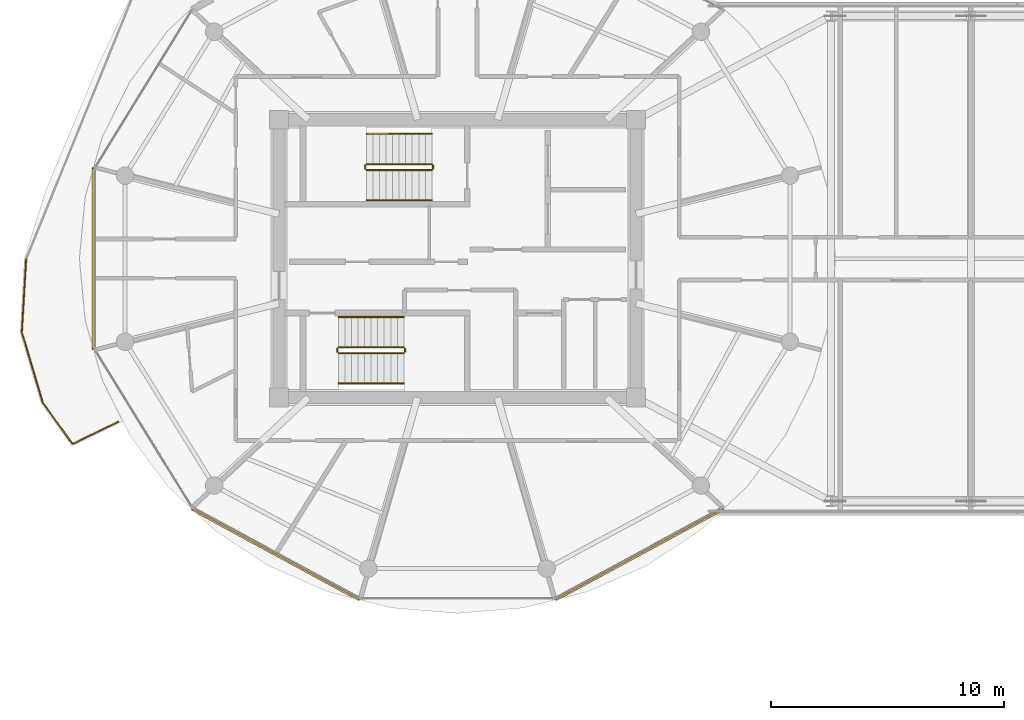
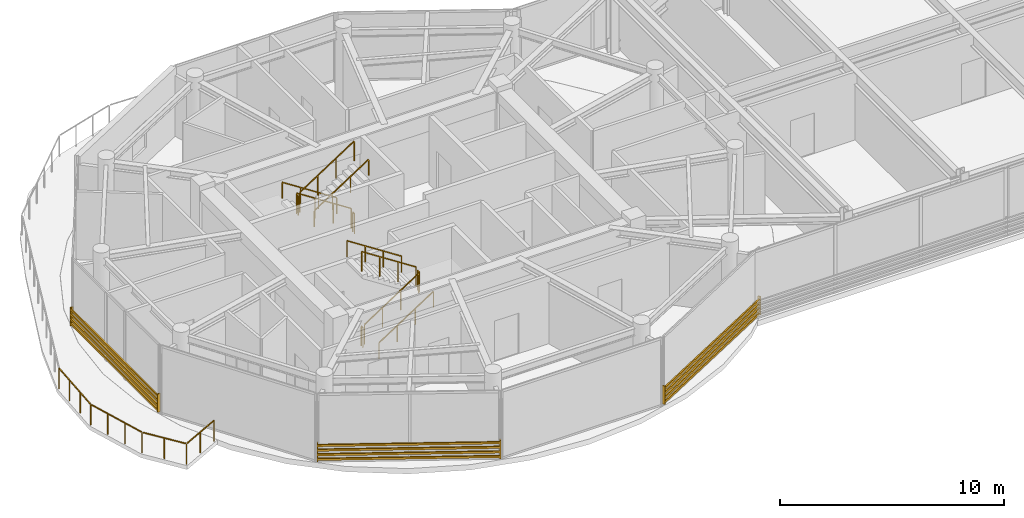
# One storey, part 21 of 24: 13 railings, 3 shading devices.
"""IFC4 building model written with IfcOpenShell, lengths in metres."""

from ifc_helpers import new_model, si_unit, direction, frame, origin, origin_2d, place, context, subcontext, project, spatial, rectangle, extrude, source, transform, mapped, material, type_object, type_shapes, element, save


model = new_model("IFC4")

# Units and contexts
model_context = context("Model", 3, precision=1e-05, world=origin(), true_north=direction((0.0, 1.0)))
body_context = subcontext(model_context, "Body", "Model", "MODEL_VIEW")
ifc_project = project(units=[si_unit("LENGTHUNIT", "METRE"), si_unit("AREAUNIT", "SQUARE_METRE"), si_unit("VOLUMEUNIT", "CUBIC_METRE"), si_unit("PLANEANGLEUNIT", "RADIAN"), si_unit("MASSUNIT", "GRAM", prefix="KILO")], contexts=[model_context])

# Site, building, storey
site_placement = place(None, origin())
site = spatial("IfcSite", under=ifc_project, at=site_placement, CompositionType="ELEMENT")
building_placement = place(site_placement, origin())
building = spatial("IfcBuilding", under=site, at=building_placement, Name="Norrkilde Senior Care Towers", CompositionType="ELEMENT")
storey_placement = place(building_placement, frame((0.0, 0.0, 203.800048828125)))
storey = spatial("IfcBuildingStorey", under=building, at=storey_placement, Name="L63", CompositionType="ELEMENT", Elevation=203.800048828125)

# Railings
ifc_material_1 = material(Name="Anodised Aluminium", Category="aluminium")
railing_type_1 = type_object("IfcRailingType", Name="Balcony Swirl Ribbon Guardrail 1150", PredefinedType="GUARDRAIL", material=ifc_material_1)
railing_1_placement = place(storey_placement, frame((-42.53662109375, -6.984130859375, 0.0)))
element("IfcRailing", 1, at=railing_1_placement, inside=storey, type_object=railing_type_1, Name="L63 Perimeter Safety Guard 04", PredefinedType="GUARDRAIL", context=body_context, shape_type="SweptSolid", body=[
    extrude(rectangle(XDim=0.048095703125, YDim=0.048095703125, at=origin_2d()), frame((0.0, 0.0, 1.1259765625), z_axis=(-0.899208913811, -0.437519518791, 0.0), x_axis=(0.437519518791, -0.899208913811, 0.0)), (0.0, 0.0, 1.0), 2.140869140625),
    extrude(rectangle(XDim=0.048095703125, YDim=0.048095703125, at=origin_2d()), frame((-1.98583984375, -0.92138671875, 1.1259765625), z_axis=(-0.585433060013, 0.810720748621, 0.0), x_axis=(-0.810720748621, -0.585433060013, 0.0)), (0.0, 0.0, 1.0), 2.0888671875),
    extrude(rectangle(XDim=0.048095703125, YDim=0.048095703125, at=origin_2d()), frame((-3.244384765625, 0.844482421875, 1.1259765625), z_axis=(-0.284897233865, 0.958558066127, 0.0), x_axis=(-0.958558066127, -0.284897233865, 0.0)), (0.0, 0.0, 1.0), 3.07275390625),
    extrude(rectangle(XDim=0.048095703125, YDim=0.048095703125, at=origin_2d()), frame((-4.12890625, 3.86962890625, 1.1259765625), z_axis=(0.058121556594, 0.998309513457, 0.0), x_axis=(-0.998309513457, 0.058121556594, 0.0)), (0.0, 0.0, 1.0), 3.105224609375),
    extrude(rectangle(XDim=0.0419921875, YDim=0.0419921875, at=origin_2d()), origin(), (0.0, 0.0, 1.0), 1.099853515625),
    extrude(rectangle(XDim=0.0419921875, YDim=0.0419921875, at=origin_2d()), frame((-0.98095703125, -0.477294921875, 0.0)), (0.0, 0.0, 1.0), 1.099853515625),
    extrude(rectangle(XDim=0.0419921875, YDim=0.0419921875, at=origin_2d()), frame((-1.9619140625, -0.95458984375, 0.0)), (0.0, 0.0, 1.0), 1.099853515625),
    extrude(rectangle(XDim=0.0419921875, YDim=0.0419921875, at=origin_2d()), frame((-2.59716796875, -0.07470703125, 0.0)), (0.0, 0.0, 1.0), 1.099853515625),
    extrude(rectangle(XDim=0.0419921875, YDim=0.0419921875, at=origin_2d()), frame((-3.232666015625, 0.80517578125, 0.0)), (0.0, 0.0, 1.0), 1.099853515625),
    extrude(rectangle(XDim=0.0419921875, YDim=0.0419921875, at=origin_2d()), frame((-3.5322265625, 1.81298828125, 0.0)), (0.0, 0.0, 1.0), 1.099853515625),
    extrude(rectangle(XDim=0.0419921875, YDim=0.0419921875, at=origin_2d()), frame((-3.831787109375, 2.821044921875, 0.0)), (0.0, 0.0, 1.0), 1.099853515625),
    extrude(rectangle(XDim=0.0419921875, YDim=0.0419921875, at=origin_2d()), frame((-4.13134765625, 3.828857421875, 0.0)), (0.0, 0.0, 1.0), 1.099853515625),
    extrude(rectangle(XDim=0.0419921875, YDim=0.0419921875, at=origin_2d()), frame((-4.0703125, 4.875732421875, 0.0)), (0.0, 0.0, 1.0), 1.099853515625),
    extrude(rectangle(XDim=0.0419921875, YDim=0.0419921875, at=origin_2d()), frame((-4.009521484375, 5.9228515625, 0.0)), (0.0, 0.0, 1.0), 1.099853515625),
    extrude(rectangle(XDim=0.0419921875, YDim=0.0419921875, at=origin_2d()), frame((-3.948486328125, 6.9697265625, 0.0)), (0.0, 0.0, 1.0), 1.099853515625),
])
ifc_material_2 = material(Name="Stainless Steel", Category="steel")
railing_type_2 = type_object("IfcRailingType", Name="Stair and Terrace Guardrail 1100", PredefinedType="GUARDRAIL", material=ifc_material_2)
railing_2_placement = place(storey_placement, frame((-29.10009765625, 4.050048828125, 0.181884765625)))
element("IfcRailing", 2, at=railing_2_placement, inside=storey, type_object=railing_type_2, Name="L63 ST-W1 stair guard 1", PredefinedType="GUARDRAIL", context=body_context, shape_type="SweptSolid", body=[
    extrude(rectangle(XDim=0.048095703125, YDim=0.048095703125, at=origin_2d()), frame((0.0, 0.0, 1.076171875), z_axis=(-0.83868413941, 0.0, 0.544618136222), x_axis=(0.0, -1.0, 0.0)), (0.0, 0.0, 1.0), 3.33837890625),
    extrude(rectangle(XDim=0.0419921875, YDim=0.0419921875, at=origin_2d()), origin(), (0.0, 0.0, 1.0), 1.050048828125),
    extrude(rectangle(XDim=0.0419921875, YDim=0.0419921875, at=origin_2d()), frame((-0.933349609375, 0.0, 0.60595703125)), (0.0, 0.0, 1.0), 1.050048828125),
    extrude(rectangle(XDim=0.0419921875, YDim=0.0419921875, at=origin_2d()), frame((-1.866455078125, 0.0, 1.212158203125)), (0.0, 0.0, 1.0), 1.050048828125),
    extrude(rectangle(XDim=0.0419921875, YDim=0.0419921875, at=origin_2d()), frame((-2.7998046875, 0.0, 1.818115234375)), (0.0, 0.0, 1.0), 1.050048828125),
])
railing_3_placement = place(storey_placement, frame((-31.949951171875, 4.0, 2.0)))
element("IfcRailing", 3, at=railing_3_placement, inside=storey, type_object=railing_type_2, Name="L63 ST-W1 stair guard 2", PredefinedType="GUARDRAIL", context=body_context, shape_type="SweptSolid", body=[
    extrude(rectangle(XDim=0.048095703125, YDim=0.048095703125, at=origin_2d()), frame((0.0, 0.0, 1.076171875), z_axis=(0.0, -1.0, 0.0), x_axis=(1.0, 0.0, 0.0)), (0.0, 0.0, 1.0), 0.14990234375),
    extrude(rectangle(XDim=0.0419921875, YDim=0.0419921875, at=origin_2d()), origin(), (0.0, 0.0, 1.0), 1.050048828125),
    extrude(rectangle(XDim=0.0419921875, YDim=0.0419921875, at=origin_2d()), frame((0.0, -0.14990234375, 0.0)), (0.0, 0.0, 1.0), 1.050048828125),
])
railing_4_placement = place(storey_placement, frame((-31.89990234375, 3.800048828125, 2.181884765625)))
element("IfcRailing", 4, at=railing_4_placement, inside=storey, type_object=railing_type_2, Name="L63 ST-W1 stair guard 3", PredefinedType="GUARDRAIL", context=body_context, shape_type="SweptSolid", body=[
    extrude(rectangle(XDim=0.048095703125, YDim=0.048095703125, at=origin_2d()), frame((0.0, 0.0, 1.076171875), z_axis=(0.83868413941, 0.0, 0.544618136222), x_axis=(0.0, 1.0, 0.0)), (0.0, 0.0, 1.0), 3.33837890625),
    extrude(rectangle(XDim=0.0419921875, YDim=0.0419921875, at=origin_2d()), origin(), (0.0, 0.0, 1.0), 1.050048828125),
    extrude(rectangle(XDim=0.0419921875, YDim=0.0419921875, at=origin_2d()), frame((0.933349609375, 0.0, 0.60595703125)), (0.0, 0.0, 1.0), 1.050048828125),
    extrude(rectangle(XDim=0.0419921875, YDim=0.0419921875, at=origin_2d()), frame((1.866455078125, 0.0, 1.212158203125)), (0.0, 0.0, 1.0), 1.050048828125),
    extrude(rectangle(XDim=0.0419921875, YDim=0.0419921875, at=origin_2d()), frame((2.7998046875, 0.0, 1.818115234375)), (0.0, 0.0, 1.0), 1.050048828125),
])
railing_5_placement = place(storey_placement, frame((-29.050048828125, 4.0, 0.0)))
element("IfcRailing", 5, at=railing_5_placement, inside=storey, type_object=railing_type_2, Name="L63 ST-W1 stair guard 4", PredefinedType="GUARDRAIL", context=body_context, shape_type="SweptSolid", body=[
    extrude(rectangle(XDim=0.048095703125, YDim=0.048095703125, at=origin_2d()), frame((0.0, 0.0, 1.076171875), z_axis=(0.0, -1.0, 0.0), x_axis=(1.0, 0.0, 0.0)), (0.0, 0.0, 1.0), 0.14990234375),
    extrude(rectangle(XDim=0.0419921875, YDim=0.0419921875, at=origin_2d()), origin(), (0.0, 0.0, 1.0), 1.050048828125),
    extrude(rectangle(XDim=0.0419921875, YDim=0.0419921875, at=origin_2d()), frame((0.0, -0.14990234375, 0.0)), (0.0, 0.0, 1.0), 1.050048828125),
])
railing_6_placement = place(storey_placement, frame((-33.10009765625, -4.050048828125, 0.181884765625)))
element("IfcRailing", 6, at=railing_6_placement, inside=storey, type_object=railing_type_2, Name="L63 ST-W2 stair guard 1", PredefinedType="GUARDRAIL", context=body_context, shape_type="SweptSolid", body=[
    extrude(rectangle(XDim=0.048095703125, YDim=0.048095703125, at=origin_2d()), frame((0.0, 0.0, 1.076171875), z_axis=(0.838705829183, 0.0, 0.544584733623), x_axis=(0.0, 1.0, 0.0)), (0.0, 0.0, 1.0), 3.338623046875),
    extrude(rectangle(XDim=0.0419921875, YDim=0.0419921875, at=origin_2d()), origin(), (0.0, 0.0, 1.0), 1.050048828125),
    extrude(rectangle(XDim=0.0419921875, YDim=0.0419921875, at=origin_2d()), frame((0.933349609375, 0.0, 0.60595703125)), (0.0, 0.0, 1.0), 1.050048828125),
    extrude(rectangle(XDim=0.0419921875, YDim=0.0419921875, at=origin_2d()), frame((1.86669921875, 0.0, 1.212158203125)), (0.0, 0.0, 1.0), 1.050048828125),
    extrude(rectangle(XDim=0.0419921875, YDim=0.0419921875, at=origin_2d()), frame((2.800048828125, 0.0, 1.818115234375)), (0.0, 0.0, 1.0), 1.050048828125),
])
railing_7_placement = place(storey_placement, frame((-30.25, -4.0, 2.0)))
element("IfcRailing", 7, at=railing_7_placement, inside=storey, type_object=railing_type_2, Name="L63 ST-W2 stair guard 2", PredefinedType="GUARDRAIL", context=body_context, shape_type="SweptSolid", body=[
    extrude(rectangle(XDim=0.048095703125, YDim=0.048095703125, at=origin_2d()), frame((0.0, 0.0, 1.076171875), z_axis=(0.0, 1.0, 0.0), x_axis=(-1.0, 0.0, 0.0)), (0.0, 0.0, 1.0), 0.14990234375),
    extrude(rectangle(XDim=0.0419921875, YDim=0.0419921875, at=origin_2d()), origin(), (0.0, 0.0, 1.0), 1.050048828125),
    extrude(rectangle(XDim=0.0419921875, YDim=0.0419921875, at=origin_2d()), frame((0.0, 0.14990234375, 0.0)), (0.0, 0.0, 1.0), 1.050048828125),
])
railing_8_placement = place(storey_placement, frame((-30.300048828125, -3.800048828125, 2.181884765625)))
element("IfcRailing", 8, at=railing_8_placement, inside=storey, type_object=railing_type_2, Name="L63 ST-W2 stair guard 3", PredefinedType="GUARDRAIL", context=body_context, shape_type="SweptSolid", body=[
    extrude(rectangle(XDim=0.048095703125, YDim=0.048095703125, at=origin_2d()), frame((0.0, 0.0, 1.076171875), z_axis=(-0.838705829183, 0.0, 0.544584733623), x_axis=(0.0, -1.0, 0.0)), (0.0, 0.0, 1.0), 3.338623046875),
    extrude(rectangle(XDim=0.0419921875, YDim=0.0419921875, at=origin_2d()), origin(), (0.0, 0.0, 1.0), 1.050048828125),
    extrude(rectangle(XDim=0.0419921875, YDim=0.0419921875, at=origin_2d()), frame((-0.933349609375, 0.0, 0.60595703125)), (0.0, 0.0, 1.0), 1.050048828125),
    extrude(rectangle(XDim=0.0419921875, YDim=0.0419921875, at=origin_2d()), frame((-1.86669921875, 0.0, 1.212158203125)), (0.0, 0.0, 1.0), 1.050048828125),
    extrude(rectangle(XDim=0.0419921875, YDim=0.0419921875, at=origin_2d()), frame((-2.800048828125, 0.0, 1.818115234375)), (0.0, 0.0, 1.0), 1.050048828125),
])
railing_9_placement = place(storey_placement, frame((-33.14990234375, -4.0, 0.0)))
element("IfcRailing", 9, at=railing_9_placement, inside=storey, type_object=railing_type_2, Name="L63 ST-W2 stair guard 4", PredefinedType="GUARDRAIL", context=body_context, shape_type="SweptSolid", body=[
    extrude(rectangle(XDim=0.048095703125, YDim=0.048095703125, at=origin_2d()), frame((0.0, 0.0, 1.076171875), z_axis=(0.0, 1.0, 0.0), x_axis=(-1.0, 0.0, 0.0)), (0.0, 0.0, 1.0), 0.14990234375),
    extrude(rectangle(XDim=0.0419921875, YDim=0.0419921875, at=origin_2d()), origin(), (0.0, 0.0, 1.0), 1.050048828125),
    extrude(rectangle(XDim=0.0419921875, YDim=0.0419921875, at=origin_2d()), frame((0.0, 0.14990234375, 0.0)), (0.0, 0.0, 1.0), 1.050048828125),
])
ifc_material_3 = material(Name="Nordic Ash Timber", Category="wood")
railing_type_3 = type_object("IfcRailingType", Name="Wall and Stair Handrail 900", PredefinedType="HANDRAIL", material=ifc_material_3)
railing_10_placement = place(storey_placement, frame((-29.10009765625, 5.35009765625, 0.181884765625)))
element("IfcRailing", 10, at=railing_10_placement, inside=storey, type_object=railing_type_3, Name="L63 ST-W1 stair handrail 1", PredefinedType="HANDRAIL", context=body_context, shape_type="SweptSolid", body=[
    extrude(rectangle(XDim=0.048095703125, YDim=0.048095703125, at=origin_2d()), frame((0.0, 0.0, 0.8759765625), z_axis=(-0.83868413941, 0.0, 0.544618136222), x_axis=(0.0, -1.0, 0.0)), (0.0, 0.0, 1.0), 3.33837890625),
    extrude(rectangle(XDim=0.0419921875, YDim=0.0419921875, at=origin_2d()), origin(), (0.0, 0.0, 1.0), 0.849853515625),
    extrude(rectangle(XDim=0.0419921875, YDim=0.0419921875, at=origin_2d()), frame((-0.933349609375, 0.0, 0.60595703125)), (0.0, 0.0, 1.0), 0.849853515625),
    extrude(rectangle(XDim=0.0419921875, YDim=0.0419921875, at=origin_2d()), frame((-1.866455078125, 0.0, 1.212158203125)), (0.0, 0.0, 1.0), 0.849853515625),
    extrude(rectangle(XDim=0.0419921875, YDim=0.0419921875, at=origin_2d()), frame((-2.7998046875, 0.0, 1.818115234375)), (0.0, 0.0, 1.0), 0.849853515625),
])
railing_11_placement = place(storey_placement, frame((-31.89990234375, 2.5, 2.181884765625)))
element("IfcRailing", 11, at=railing_11_placement, inside=storey, type_object=railing_type_3, Name="L63 ST-W1 stair handrail 2", PredefinedType="HANDRAIL", context=body_context, shape_type="SweptSolid", body=[
    extrude(rectangle(XDim=0.048095703125, YDim=0.048095703125, at=origin_2d()), frame((0.0, 0.0, 0.8759765625), z_axis=(0.83868413941, 0.0, 0.544618136222), x_axis=(0.0, 1.0, 0.0)), (0.0, 0.0, 1.0), 3.33837890625),
    extrude(rectangle(XDim=0.0419921875, YDim=0.0419921875, at=origin_2d()), origin(), (0.0, 0.0, 1.0), 0.849853515625),
    extrude(rectangle(XDim=0.0419921875, YDim=0.0419921875, at=origin_2d()), frame((0.933349609375, 0.0, 0.60595703125)), (0.0, 0.0, 1.0), 0.849853515625),
    extrude(rectangle(XDim=0.0419921875, YDim=0.0419921875, at=origin_2d()), frame((1.866455078125, 0.0, 1.212158203125)), (0.0, 0.0, 1.0), 0.849853515625),
    extrude(rectangle(XDim=0.0419921875, YDim=0.0419921875, at=origin_2d()), frame((2.7998046875, 0.0, 1.818115234375)), (0.0, 0.0, 1.0), 0.849853515625),
])
railing_12_placement = place(storey_placement, frame((-33.10009765625, -5.35009765625, 0.181884765625)))
element("IfcRailing", 12, at=railing_12_placement, inside=storey, type_object=railing_type_3, Name="L63 ST-W2 stair handrail 1", PredefinedType="HANDRAIL", context=body_context, shape_type="SweptSolid", body=[
    extrude(rectangle(XDim=0.048095703125, YDim=0.048095703125, at=origin_2d()), frame((0.0, 0.0, 0.8759765625), z_axis=(0.838705829183, 0.0, 0.544584733623), x_axis=(0.0, 1.0, 0.0)), (0.0, 0.0, 1.0), 3.338623046875),
    extrude(rectangle(XDim=0.0419921875, YDim=0.0419921875, at=origin_2d()), origin(), (0.0, 0.0, 1.0), 0.849853515625),
    extrude(rectangle(XDim=0.0419921875, YDim=0.0419921875, at=origin_2d()), frame((0.933349609375, 0.0, 0.60595703125)), (0.0, 0.0, 1.0), 0.849853515625),
    extrude(rectangle(XDim=0.0419921875, YDim=0.0419921875, at=origin_2d()), frame((1.86669921875, 0.0, 1.212158203125)), (0.0, 0.0, 1.0), 0.849853515625),
    extrude(rectangle(XDim=0.0419921875, YDim=0.0419921875, at=origin_2d()), frame((2.800048828125, 0.0, 1.818115234375)), (0.0, 0.0, 1.0), 0.849853515625),
])
railing_13_placement = place(storey_placement, frame((-30.300048828125, -2.5, 2.181884765625)))
element("IfcRailing", 13, at=railing_13_placement, inside=storey, type_object=railing_type_3, Name="L63 ST-W2 stair handrail 2", PredefinedType="HANDRAIL", context=body_context, shape_type="SweptSolid", body=[
    extrude(rectangle(XDim=0.048095703125, YDim=0.048095703125, at=origin_2d()), frame((0.0, 0.0, 0.8759765625), z_axis=(-0.838705829183, 0.0, 0.544584733623), x_axis=(0.0, -1.0, 0.0)), (0.0, 0.0, 1.0), 3.338623046875),
    extrude(rectangle(XDim=0.0419921875, YDim=0.0419921875, at=origin_2d()), origin(), (0.0, 0.0, 1.0), 0.849853515625),
    extrude(rectangle(XDim=0.0419921875, YDim=0.0419921875, at=origin_2d()), frame((-0.933349609375, 0.0, 0.60595703125)), (0.0, 0.0, 1.0), 0.849853515625),
    extrude(rectangle(XDim=0.0419921875, YDim=0.0419921875, at=origin_2d()), frame((-1.86669921875, 0.0, 1.212158203125)), (0.0, 0.0, 1.0), 0.849853515625),
    extrude(rectangle(XDim=0.0419921875, YDim=0.0419921875, at=origin_2d()), frame((-2.800048828125, 0.0, 1.818115234375)), (0.0, 0.0, 1.0), 0.849853515625),
])

# Shading devices
ifc_material_4 = material(Name="Architectural Terracotta", Category="masonry")
shading_device_type = type_object("IfcShadingDeviceType", Name="Horizontal Terracotta Baguette Rack", PredefinedType="USERDEFINED", material=ifc_material_4)
shared_shape_1 = source(origin(), body_context, "Body", "SweptSolid", [
    extrude(rectangle(XDim=0.070068359375, YDim=0.110107421875, at=origin_2d()), frame((0.0, 0.090087890625, 0.125), z_axis=(1.0, 0.0, 0.0), x_axis=(0.0, 1.0, 0.0)), (0.0, 0.0, 1.0), 8.197265625),
    extrude(rectangle(XDim=0.070068359375, YDim=0.110107421875, at=origin_2d()), frame((0.0, 0.090087890625, 0.375), z_axis=(1.0, 0.0, 0.0), x_axis=(0.0, 1.0, 0.0)), (0.0, 0.0, 1.0), 8.197265625),
    extrude(rectangle(XDim=0.070068359375, YDim=0.110107421875, at=origin_2d()), frame((0.0, 0.090087890625, 0.625), z_axis=(1.0, 0.0, 0.0), x_axis=(0.0, 1.0, 0.0)), (0.0, 0.0, 1.0), 8.197265625),
    extrude(rectangle(XDim=0.070068359375, YDim=0.110107421875, at=origin_2d()), frame((0.0, 0.090087890625, 0.875), z_axis=(1.0, 0.0, 0.0), x_axis=(0.0, 1.0, 0.0)), (0.0, 0.0, 1.0), 8.197265625),
    extrude(rectangle(XDim=0.050048828125, YDim=0.1552734375, at=origin_2d()), frame((0.02490234375, 0.047607421875, 0.0)), (0.0, 0.0, 1.0), 1.0),
    extrude(rectangle(XDim=0.050048828125, YDim=0.1552734375, at=origin_2d()), frame((8.17236328125, 0.047607421875, 0.0)), (0.0, 0.0, 1.0), 1.0),
])
for number, where, z_axis, x_axis, name in (
    (14, (-32.161865234375, -14.566162109375, 0.079833984375), (0.0, 0.0, 1.0), (-0.879378127234, 0.476143674053, 0.0), "L63 Drum W Terracotta Baguette Screen 07"),
    (15, (-16.629638671875, -10.6630859375, 0.079833984375), (0.0, 0.0, 1.0), (-0.879378127234, -0.476143674053, 0.0), "L63 Drum W Terracotta Baguette Screen 09"),
):
    element("IfcShadingDevice", number, at=place(storey_placement, frame(where, z_axis=z_axis, x_axis=x_axis)), inside=storey, type_object=shading_device_type, Name=name, ObjectType="BAGUETTE", PredefinedType="USERDEFINED", context=body_context, shape_type="MappedRepresentation", body=[
        mapped(shared_shape_1, transform((0.0, 0.0, 0.0), x_axis=(1.0, 0.0, 0.0), y_axis=(0.0, 1.0, 0.0), z_axis=(0.0, 0.0, 1.0), scale=1.0)),
    ])
shared_shape_2 = source(origin(), body_context, "Body", "SweptSolid", [
    extrude(rectangle(XDim=0.070068359375, YDim=0.110107421875, at=origin_2d()), frame((0.0, 0.090087890625, 0.125), z_axis=(1.0, 0.0, 0.0), x_axis=(0.0, 1.0, 0.0)), (0.0, 0.0, 1.0), 7.80615234375),
    extrude(rectangle(XDim=0.070068359375, YDim=0.110107421875, at=origin_2d()), frame((0.0, 0.090087890625, 0.375), z_axis=(1.0, 0.0, 0.0), x_axis=(0.0, 1.0, 0.0)), (0.0, 0.0, 1.0), 7.80615234375),
    extrude(rectangle(XDim=0.070068359375, YDim=0.110107421875, at=origin_2d()), frame((0.0, 0.090087890625, 0.625), z_axis=(1.0, 0.0, 0.0), x_axis=(0.0, 1.0, 0.0)), (0.0, 0.0, 1.0), 7.80615234375),
    extrude(rectangle(XDim=0.070068359375, YDim=0.110107421875, at=origin_2d()), frame((0.0, 0.090087890625, 0.875), z_axis=(1.0, 0.0, 0.0), x_axis=(0.0, 1.0, 0.0)), (0.0, 0.0, 1.0), 7.80615234375),
    extrude(rectangle(XDim=0.050048828125, YDim=0.1552734375, at=origin_2d()), frame((0.02490234375, 0.047607421875, 0.0)), (0.0, 0.0, 1.0), 1.0),
    extrude(rectangle(XDim=0.050048828125, YDim=0.1552734375, at=origin_2d()), frame((7.78125, 0.047607421875, 0.0)), (0.0, 0.0, 1.0), 1.0),
])
type_shapes(shading_device_type, [shared_shape_1, shared_shape_2])
shading_device_placement = place(storey_placement, frame((-43.531982421875, -3.903076171875, 0.079833984375), z_axis=(0.0, 0.0, 1.0), x_axis=(0.0, 1.0, 0.0)))
element("IfcShadingDevice", 16, at=shading_device_placement, inside=storey, type_object=shading_device_type, Name="L63 Drum W Terracotta Baguette Screen 05", ObjectType="BAGUETTE", PredefinedType="USERDEFINED", context=body_context, shape_type="MappedRepresentation", body=[
    mapped(shared_shape_2, transform((0.0, 0.0, 0.0), x_axis=(1.0, 0.0, 0.0), y_axis=(0.0, 1.0, 0.0), z_axis=(0.0, 0.0, 1.0), scale=1.0)),
])

save(model, "model.ifc")
